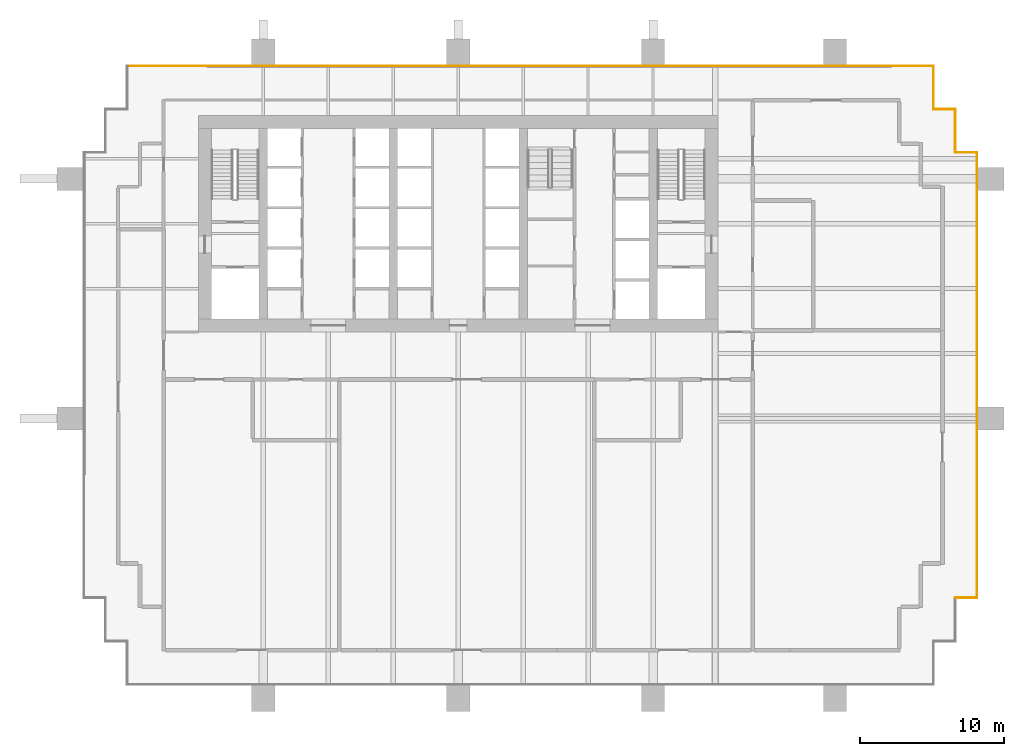
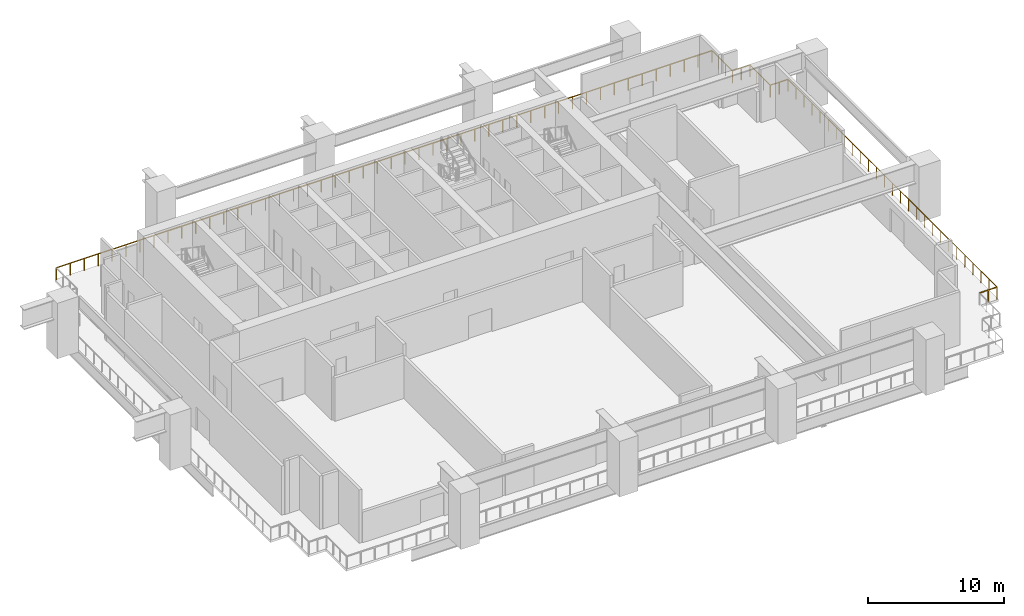
# One storey, part 9 of 9: 7 railings.
"""IFC4 building model written with IfcOpenShell, lengths in metres."""

from ifc_helpers import new_model, si_unit, direction, frame, origin, origin_2d, place, context, subcontext, project, spatial, rectangle, extrude, material, type_object, element, save


model = new_model("IFC4")

# Units and contexts
model_context = context("Model", 3, precision=1e-05, world=origin(), true_north=direction((0.0, 1.0)))
body_context = subcontext(model_context, "Body", "Model", "MODEL_VIEW")
ifc_project = project(units=[si_unit("LENGTHUNIT", "METRE"), si_unit("AREAUNIT", "SQUARE_METRE"), si_unit("VOLUMEUNIT", "CUBIC_METRE"), si_unit("PLANEANGLEUNIT", "RADIAN"), si_unit("MASSUNIT", "GRAM", prefix="KILO")], contexts=[model_context])

# Site, building, storey
site_placement = place(None, origin())
site = spatial("IfcSite", under=ifc_project, at=site_placement, CompositionType="ELEMENT")
building_placement = place(site_placement, origin())
building = spatial("IfcBuilding", under=site, at=building_placement, Name="Rattan Terrace Tower", CompositionType="ELEMENT")
storey_placement = place(building_placement, frame((0.0, 0.0, 115.699951171875)))
storey = spatial("IfcBuildingStorey", under=building, at=storey_placement, Name="L26", CompositionType="ELEMENT", Elevation=115.699951171875)

# Railings
ifc_material = material(Name="Stainless steel 316", Category="steel")
railing_type = type_object("IfcRailingType", Name="Facade Guard 1100", PredefinedType="GUARDRAIL", material=ifc_material)
railing_1_placement = place(storey_placement, frame((-22.919921875, 10.919921875, 0.0)))
element("IfcRailing", 1, at=railing_1_placement, inside=storey, type_object=railing_type, Name="Guard L26-11", PredefinedType="GUARDRAIL", context=body_context, shape_type="SweptSolid", body=[
    extrude(rectangle(XDim=0.048095703125, YDim=0.048095703125, at=origin_2d()), frame((0.0, 0.0, 1.076171875), z_axis=(1.0, 0.0, 0.0), x_axis=(0.0, 1.0, 0.0)), (0.0, 0.0, 1.0), 55.83984375),
    extrude(rectangle(XDim=0.0419921875, YDim=0.0419921875, at=origin_2d()), origin(), (0.0, 0.0, 1.0), 1.052001953125),
    extrude(rectangle(XDim=0.0419921875, YDim=0.0419921875, at=origin_2d()), frame((1.18798828125, 0.0, 0.0)), (0.0, 0.0, 1.0), 1.052001953125),
    extrude(rectangle(XDim=0.0419921875, YDim=0.0419921875, at=origin_2d()), frame((2.376220703125, 0.0, 0.0)), (0.0, 0.0, 1.0), 1.052001953125),
    extrude(rectangle(XDim=0.0419921875, YDim=0.0419921875, at=origin_2d()), frame((3.564208984375, 0.0, 0.0)), (0.0, 0.0, 1.0), 1.052001953125),
    extrude(rectangle(XDim=0.0419921875, YDim=0.0419921875, at=origin_2d()), frame((4.75244140625, 0.0, 0.0)), (0.0, 0.0, 1.0), 1.052001953125),
    extrude(rectangle(XDim=0.0419921875, YDim=0.0419921875, at=origin_2d()), frame((5.9404296875, 0.0, 0.0)), (0.0, 0.0, 1.0), 1.052001953125),
    extrude(rectangle(XDim=0.0419921875, YDim=0.0419921875, at=origin_2d()), frame((7.12841796875, 0.0, 0.0)), (0.0, 0.0, 1.0), 1.052001953125),
    extrude(rectangle(XDim=0.0419921875, YDim=0.0419921875, at=origin_2d()), frame((8.316650390625, 0.0, 0.0)), (0.0, 0.0, 1.0), 1.052001953125),
    extrude(rectangle(XDim=0.0419921875, YDim=0.0419921875, at=origin_2d()), frame((9.504638671875, 0.0, 0.0)), (0.0, 0.0, 1.0), 1.052001953125),
    extrude(rectangle(XDim=0.0419921875, YDim=0.0419921875, at=origin_2d()), frame((10.692626953125, 0.0, 0.0)), (0.0, 0.0, 1.0), 1.052001953125),
    extrude(rectangle(XDim=0.0419921875, YDim=0.0419921875, at=origin_2d()), frame((11.880859375, 0.0, 0.0)), (0.0, 0.0, 1.0), 1.052001953125),
    extrude(rectangle(XDim=0.0419921875, YDim=0.0419921875, at=origin_2d()), frame((13.06884765625, 0.0, 0.0)), (0.0, 0.0, 1.0), 1.052001953125),
    extrude(rectangle(XDim=0.0419921875, YDim=0.0419921875, at=origin_2d()), frame((14.257080078125, 0.0, 0.0)), (0.0, 0.0, 1.0), 1.052001953125),
    extrude(rectangle(XDim=0.0419921875, YDim=0.0419921875, at=origin_2d()), frame((15.445068359375, 0.0, 0.0)), (0.0, 0.0, 1.0), 1.052001953125),
    extrude(rectangle(XDim=0.0419921875, YDim=0.0419921875, at=origin_2d()), frame((16.633056640625, 0.0, 0.0)), (0.0, 0.0, 1.0), 1.052001953125),
    extrude(rectangle(XDim=0.0419921875, YDim=0.0419921875, at=origin_2d()), frame((17.8212890625, 0.0, 0.0)), (0.0, 0.0, 1.0), 1.052001953125),
    extrude(rectangle(XDim=0.0419921875, YDim=0.0419921875, at=origin_2d()), frame((19.00927734375, 0.0, 0.0)), (0.0, 0.0, 1.0), 1.052001953125),
    extrude(rectangle(XDim=0.0419921875, YDim=0.0419921875, at=origin_2d()), frame((20.197509765625, 0.0, 0.0)), (0.0, 0.0, 1.0), 1.052001953125),
    extrude(rectangle(XDim=0.0419921875, YDim=0.0419921875, at=origin_2d()), frame((21.385498046875, 0.0, 0.0)), (0.0, 0.0, 1.0), 1.052001953125),
    extrude(rectangle(XDim=0.0419921875, YDim=0.0419921875, at=origin_2d()), frame((22.573486328125, 0.0, 0.0)), (0.0, 0.0, 1.0), 1.052001953125),
    extrude(rectangle(XDim=0.0419921875, YDim=0.0419921875, at=origin_2d()), frame((23.76171875, 0.0, 0.0)), (0.0, 0.0, 1.0), 1.052001953125),
    extrude(rectangle(XDim=0.0419921875, YDim=0.0419921875, at=origin_2d()), frame((24.94970703125, 0.0, 0.0)), (0.0, 0.0, 1.0), 1.052001953125),
    extrude(rectangle(XDim=0.0419921875, YDim=0.0419921875, at=origin_2d()), frame((26.1376953125, 0.0, 0.0)), (0.0, 0.0, 1.0), 1.052001953125),
    extrude(rectangle(XDim=0.0419921875, YDim=0.0419921875, at=origin_2d()), frame((27.325927734375, 0.0, 0.0)), (0.0, 0.0, 1.0), 1.052001953125),
    extrude(rectangle(XDim=0.0419921875, YDim=0.0419921875, at=origin_2d()), frame((28.513916015625, 0.0, 0.0)), (0.0, 0.0, 1.0), 1.052001953125),
    extrude(rectangle(XDim=0.0419921875, YDim=0.0419921875, at=origin_2d()), frame((29.7021484375, 0.0, 0.0)), (0.0, 0.0, 1.0), 1.052001953125),
    extrude(rectangle(XDim=0.0419921875, YDim=0.0419921875, at=origin_2d()), frame((30.89013671875, 0.0, 0.0)), (0.0, 0.0, 1.0), 1.052001953125),
    extrude(rectangle(XDim=0.0419921875, YDim=0.0419921875, at=origin_2d()), frame((32.078125, 0.0, 0.0)), (0.0, 0.0, 1.0), 1.052001953125),
    extrude(rectangle(XDim=0.0419921875, YDim=0.0419921875, at=origin_2d()), frame((33.266357421875, 0.0, 0.0)), (0.0, 0.0, 1.0), 1.052001953125),
    extrude(rectangle(XDim=0.0419921875, YDim=0.0419921875, at=origin_2d()), frame((34.454345703125, 0.0, 0.0)), (0.0, 0.0, 1.0), 1.052001953125),
    extrude(rectangle(XDim=0.0419921875, YDim=0.0419921875, at=origin_2d()), frame((35.642333984375, 0.0, 0.0)), (0.0, 0.0, 1.0), 1.052001953125),
    extrude(rectangle(XDim=0.0419921875, YDim=0.0419921875, at=origin_2d()), frame((36.83056640625, 0.0, 0.0)), (0.0, 0.0, 1.0), 1.052001953125),
    extrude(rectangle(XDim=0.0419921875, YDim=0.0419921875, at=origin_2d()), frame((38.0185546875, 0.0, 0.0)), (0.0, 0.0, 1.0), 1.052001953125),
    extrude(rectangle(XDim=0.0419921875, YDim=0.0419921875, at=origin_2d()), frame((39.206787109375, 0.0, 0.0)), (0.0, 0.0, 1.0), 1.052001953125),
    extrude(rectangle(XDim=0.0419921875, YDim=0.0419921875, at=origin_2d()), frame((40.394775390625, 0.0, 0.0)), (0.0, 0.0, 1.0), 1.052001953125),
    extrude(rectangle(XDim=0.0419921875, YDim=0.0419921875, at=origin_2d()), frame((41.582763671875, 0.0, 0.0)), (0.0, 0.0, 1.0), 1.052001953125),
    extrude(rectangle(XDim=0.0419921875, YDim=0.0419921875, at=origin_2d()), frame((42.77099609375, 0.0, 0.0)), (0.0, 0.0, 1.0), 1.052001953125),
    extrude(rectangle(XDim=0.0419921875, YDim=0.0419921875, at=origin_2d()), frame((43.958984375, 0.0, 0.0)), (0.0, 0.0, 1.0), 1.052001953125),
    extrude(rectangle(XDim=0.0419921875, YDim=0.0419921875, at=origin_2d()), frame((45.147216796875, 0.0, 0.0)), (0.0, 0.0, 1.0), 1.052001953125),
    extrude(rectangle(XDim=0.0419921875, YDim=0.0419921875, at=origin_2d()), frame((46.335205078125, 0.0, 0.0)), (0.0, 0.0, 1.0), 1.052001953125),
    extrude(rectangle(XDim=0.0419921875, YDim=0.0419921875, at=origin_2d()), frame((47.523193359375, 0.0, 0.0)), (0.0, 0.0, 1.0), 1.052001953125),
    extrude(rectangle(XDim=0.0419921875, YDim=0.0419921875, at=origin_2d()), frame((48.71142578125, 0.0, 0.0)), (0.0, 0.0, 1.0), 1.052001953125),
    extrude(rectangle(XDim=0.0419921875, YDim=0.0419921875, at=origin_2d()), frame((49.8994140625, 0.0, 0.0)), (0.0, 0.0, 1.0), 1.052001953125),
    extrude(rectangle(XDim=0.0419921875, YDim=0.0419921875, at=origin_2d()), frame((51.08740234375, 0.0, 0.0)), (0.0, 0.0, 1.0), 1.052001953125),
    extrude(rectangle(XDim=0.0419921875, YDim=0.0419921875, at=origin_2d()), frame((52.275634765625, 0.0, 0.0)), (0.0, 0.0, 1.0), 1.052001953125),
    extrude(rectangle(XDim=0.0419921875, YDim=0.0419921875, at=origin_2d()), frame((53.463623046875, 0.0, 0.0)), (0.0, 0.0, 1.0), 1.052001953125),
    extrude(rectangle(XDim=0.0419921875, YDim=0.0419921875, at=origin_2d()), frame((54.65185546875, 0.0, 0.0)), (0.0, 0.0, 1.0), 1.052001953125),
])
railing_2_placement = place(storey_placement, frame((32.919921875, 10.919921875, 0.0)))
element("IfcRailing", 2, at=railing_2_placement, inside=storey, type_object=railing_type, Name="Guard L26-12", PredefinedType="GUARDRAIL", context=body_context, shape_type="SweptSolid", body=[
    extrude(rectangle(XDim=0.048095703125, YDim=0.048095703125, at=origin_2d()), frame((0.0, 0.0, 1.076171875), z_axis=(0.0, -1.0, 0.0), x_axis=(1.0, 0.0, 0.0)), (0.0, 0.0, 1.0), 3.0),
    extrude(rectangle(XDim=0.0419921875, YDim=0.0419921875, at=origin_2d()), origin(), (0.0, 0.0, 1.0), 1.052001953125),
    extrude(rectangle(XDim=0.0419921875, YDim=0.0419921875, at=origin_2d()), frame((0.0, -1.0, 0.0)), (0.0, 0.0, 1.0), 1.052001953125),
    extrude(rectangle(XDim=0.0419921875, YDim=0.0419921875, at=origin_2d()), frame((0.0, -2.0, 0.0)), (0.0, 0.0, 1.0), 1.052001953125),
])
railing_3_placement = place(storey_placement, frame((32.919921875, 7.919921875, 0.0)))
element("IfcRailing", 3, at=railing_3_placement, inside=storey, type_object=railing_type, Name="Guard L26-13", PredefinedType="GUARDRAIL", context=body_context, shape_type="SweptSolid", body=[
    extrude(rectangle(XDim=0.048095703125, YDim=0.048095703125, at=origin_2d()), frame((0.0, 0.0, 1.076171875), z_axis=(1.0, 0.0, 0.0), x_axis=(0.0, 1.0, 0.0)), (0.0, 0.0, 1.0), 1.5),
    extrude(rectangle(XDim=0.0419921875, YDim=0.0419921875, at=origin_2d()), origin(), (0.0, 0.0, 1.0), 1.052001953125),
    extrude(rectangle(XDim=0.0419921875, YDim=0.0419921875, at=origin_2d()), frame((0.75, 0.0, 0.0)), (0.0, 0.0, 1.0), 1.052001953125),
])
railing_4_placement = place(storey_placement, frame((34.419921875, 7.919921875, 0.0)))
element("IfcRailing", 4, at=railing_4_placement, inside=storey, type_object=railing_type, Name="Guard L26-14", PredefinedType="GUARDRAIL", context=body_context, shape_type="SweptSolid", body=[
    extrude(rectangle(XDim=0.048095703125, YDim=0.048095703125, at=origin_2d()), frame((0.0, 0.0, 1.076171875), z_axis=(0.0, -1.0, 0.0), x_axis=(1.0, 0.0, 0.0)), (0.0, 0.0, 1.0), 3.0),
    extrude(rectangle(XDim=0.0419921875, YDim=0.0419921875, at=origin_2d()), origin(), (0.0, 0.0, 1.0), 1.052001953125),
    extrude(rectangle(XDim=0.0419921875, YDim=0.0419921875, at=origin_2d()), frame((0.0, -1.0, 0.0)), (0.0, 0.0, 1.0), 1.052001953125),
    extrude(rectangle(XDim=0.0419921875, YDim=0.0419921875, at=origin_2d()), frame((0.0, -2.0, 0.0)), (0.0, 0.0, 1.0), 1.052001953125),
])
railing_5_placement = place(storey_placement, frame((34.419921875, 4.919921875, 0.0)))
element("IfcRailing", 5, at=railing_5_placement, inside=storey, type_object=railing_type, Name="Guard L26-15", PredefinedType="GUARDRAIL", context=body_context, shape_type="SweptSolid", body=[
    extrude(rectangle(XDim=0.048095703125, YDim=0.048095703125, at=origin_2d()), frame((0.0, 0.0, 1.076171875), z_axis=(1.0, 0.0, 0.0), x_axis=(0.0, 1.0, 0.0)), (0.0, 0.0, 1.0), 1.5),
    extrude(rectangle(XDim=0.0419921875, YDim=0.0419921875, at=origin_2d()), origin(), (0.0, 0.0, 1.0), 1.052001953125),
    extrude(rectangle(XDim=0.0419921875, YDim=0.0419921875, at=origin_2d()), frame((0.75, 0.0, 0.0)), (0.0, 0.0, 1.0), 1.052001953125),
])
railing_6_placement = place(storey_placement, frame((35.919921875, 4.919921875, 0.0)))
element("IfcRailing", 6, at=railing_6_placement, inside=storey, type_object=railing_type, Name="Guard L26-16", PredefinedType="GUARDRAIL", context=body_context, shape_type="SweptSolid", body=[
    extrude(rectangle(XDim=0.048095703125, YDim=0.048095703125, at=origin_2d()), frame((0.0, 0.0, 1.076171875), z_axis=(0.0, -1.0, 0.0), x_axis=(1.0, 0.0, 0.0)), (0.0, 0.0, 1.0), 30.83984375),
    extrude(rectangle(XDim=0.0419921875, YDim=0.0419921875, at=origin_2d()), origin(), (0.0, 0.0, 1.0), 1.052001953125),
    extrude(rectangle(XDim=0.0419921875, YDim=0.0419921875, at=origin_2d()), frame((0.0, -1.18603515625, 0.0)), (0.0, 0.0, 1.0), 1.052001953125),
    extrude(rectangle(XDim=0.0419921875, YDim=0.0419921875, at=origin_2d()), frame((0.0, -2.372314453125, 0.0)), (0.0, 0.0, 1.0), 1.052001953125),
    extrude(rectangle(XDim=0.0419921875, YDim=0.0419921875, at=origin_2d()), frame((0.0, -3.558349609375, 0.0)), (0.0, 0.0, 1.0), 1.052001953125),
    extrude(rectangle(XDim=0.0419921875, YDim=0.0419921875, at=origin_2d()), frame((0.0, -4.74462890625, 0.0)), (0.0, 0.0, 1.0), 1.052001953125),
    extrude(rectangle(XDim=0.0419921875, YDim=0.0419921875, at=origin_2d()), frame((0.0, -5.9306640625, 0.0)), (0.0, 0.0, 1.0), 1.052001953125),
    extrude(rectangle(XDim=0.0419921875, YDim=0.0419921875, at=origin_2d()), frame((0.0, -7.116943359375, 0.0)), (0.0, 0.0, 1.0), 1.052001953125),
    extrude(rectangle(XDim=0.0419921875, YDim=0.0419921875, at=origin_2d()), frame((0.0, -8.302978515625, 0.0)), (0.0, 0.0, 1.0), 1.052001953125),
    extrude(rectangle(XDim=0.0419921875, YDim=0.0419921875, at=origin_2d()), frame((0.0, -9.4892578125, 0.0)), (0.0, 0.0, 1.0), 1.052001953125),
    extrude(rectangle(XDim=0.0419921875, YDim=0.0419921875, at=origin_2d()), frame((0.0, -10.67529296875, 0.0)), (0.0, 0.0, 1.0), 1.052001953125),
    extrude(rectangle(XDim=0.0419921875, YDim=0.0419921875, at=origin_2d()), frame((0.0, -11.861572265625, 0.0)), (0.0, 0.0, 1.0), 1.052001953125),
    extrude(rectangle(XDim=0.0419921875, YDim=0.0419921875, at=origin_2d()), frame((0.0, -13.047607421875, 0.0)), (0.0, 0.0, 1.0), 1.052001953125),
    extrude(rectangle(XDim=0.0419921875, YDim=0.0419921875, at=origin_2d()), frame((0.0, -14.23388671875, 0.0)), (0.0, 0.0, 1.0), 1.052001953125),
    extrude(rectangle(XDim=0.0419921875, YDim=0.0419921875, at=origin_2d()), frame((0.0, -15.419921875, 0.0)), (0.0, 0.0, 1.0), 1.052001953125),
    extrude(rectangle(XDim=0.0419921875, YDim=0.0419921875, at=origin_2d()), frame((0.0, -16.60595703125, 0.0)), (0.0, 0.0, 1.0), 1.052001953125),
    extrude(rectangle(XDim=0.0419921875, YDim=0.0419921875, at=origin_2d()), frame((0.0, -17.792236328125, 0.0)), (0.0, 0.0, 1.0), 1.052001953125),
    extrude(rectangle(XDim=0.0419921875, YDim=0.0419921875, at=origin_2d()), frame((0.0, -18.978271484375, 0.0)), (0.0, 0.0, 1.0), 1.052001953125),
    extrude(rectangle(XDim=0.0419921875, YDim=0.0419921875, at=origin_2d()), frame((0.0, -20.16455078125, 0.0)), (0.0, 0.0, 1.0), 1.052001953125),
    extrude(rectangle(XDim=0.0419921875, YDim=0.0419921875, at=origin_2d()), frame((0.0, -21.3505859375, 0.0)), (0.0, 0.0, 1.0), 1.052001953125),
    extrude(rectangle(XDim=0.0419921875, YDim=0.0419921875, at=origin_2d()), frame((0.0, -22.536865234375, 0.0)), (0.0, 0.0, 1.0), 1.052001953125),
    extrude(rectangle(XDim=0.0419921875, YDim=0.0419921875, at=origin_2d()), frame((0.0, -23.722900390625, 0.0)), (0.0, 0.0, 1.0), 1.052001953125),
    extrude(rectangle(XDim=0.0419921875, YDim=0.0419921875, at=origin_2d()), frame((0.0, -24.9091796875, 0.0)), (0.0, 0.0, 1.0), 1.052001953125),
    extrude(rectangle(XDim=0.0419921875, YDim=0.0419921875, at=origin_2d()), frame((0.0, -26.09521484375, 0.0)), (0.0, 0.0, 1.0), 1.052001953125),
    extrude(rectangle(XDim=0.0419921875, YDim=0.0419921875, at=origin_2d()), frame((0.0, -27.281494140625, 0.0)), (0.0, 0.0, 1.0), 1.052001953125),
    extrude(rectangle(XDim=0.0419921875, YDim=0.0419921875, at=origin_2d()), frame((0.0, -28.467529296875, 0.0)), (0.0, 0.0, 1.0), 1.052001953125),
    extrude(rectangle(XDim=0.0419921875, YDim=0.0419921875, at=origin_2d()), frame((0.0, -29.65380859375, 0.0)), (0.0, 0.0, 1.0), 1.052001953125),
])
railing_7_placement = place(storey_placement, frame((35.919921875, -25.919921875, 0.0)))
element("IfcRailing", 7, at=railing_7_placement, inside=storey, type_object=railing_type, Name="Guard L26-17", PredefinedType="GUARDRAIL", context=body_context, shape_type="SweptSolid", body=[
    extrude(rectangle(XDim=0.048095703125, YDim=0.048095703125, at=origin_2d()), frame((0.0, 0.0, 1.076171875), z_axis=(-1.0, 0.0, 0.0), x_axis=(0.0, -1.0, 0.0)), (0.0, 0.0, 1.0), 1.5),
    extrude(rectangle(XDim=0.0419921875, YDim=0.0419921875, at=origin_2d()), origin(), (0.0, 0.0, 1.0), 1.052001953125),
    extrude(rectangle(XDim=0.0419921875, YDim=0.0419921875, at=origin_2d()), frame((-0.75, 0.0, 0.0)), (0.0, 0.0, 1.0), 1.052001953125),
])

save(model, "model.ifc")
